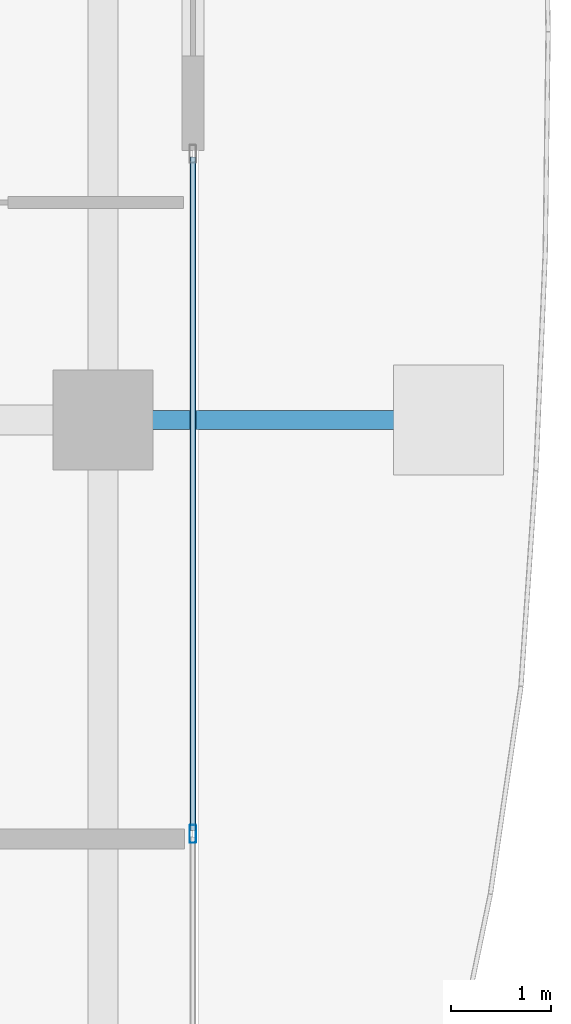
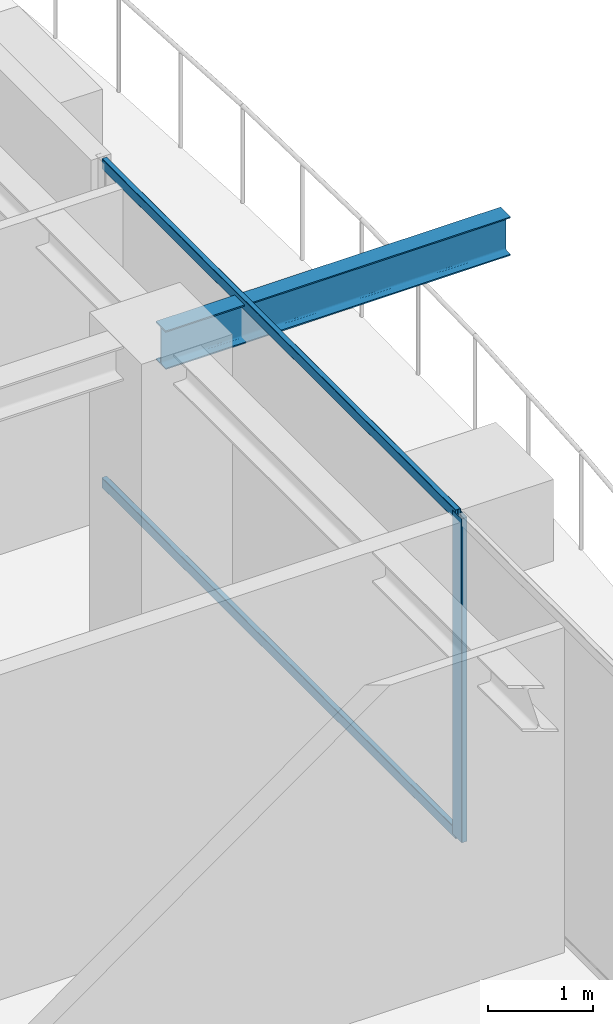
# One storey, part 16 of 42: 3 members, 1 beam, 1 element without a shape of its own.
"""IFC4 building model written with IfcOpenShell, lengths in metres."""

from ifc_helpers import new_model, si_unit, direction, frame, origin, origin_2d, place, context, subcontext, project, spatial, hollow_rectangle, i_section, extrude, source, transform, mapped, material, layer, layer_set, material_profile, profile_set, type_object, element, aggregate, save


model = new_model("IFC4")

# Units and contexts
model_context = context("Model", 3, precision=1e-05, world=origin(), true_north=direction((0.0, 1.0)))
body_context = subcontext(model_context, "Body", "Model", "MODEL_VIEW")
ifc_project = project(units=[si_unit("LENGTHUNIT", "METRE"), si_unit("AREAUNIT", "SQUARE_METRE"), si_unit("VOLUMEUNIT", "CUBIC_METRE"), si_unit("PLANEANGLEUNIT", "RADIAN"), si_unit("MASSUNIT", "GRAM", prefix="KILO")], contexts=[model_context])

# Site, building, storey
site_placement = place(None, origin())
site = spatial("IfcSite", under=ifc_project, at=site_placement, CompositionType="ELEMENT")
building_placement = place(site_placement, origin())
building = spatial("IfcBuilding", under=site, at=building_placement, Name="Serunith Strait Residences", CompositionType="ELEMENT")
storey_placement = place(building_placement, frame((0.0, 0.0, 293.449951171875)))
storey = spatial("IfcBuildingStorey", under=building, at=storey_placement, Name="L73", CompositionType="ELEMENT", Elevation=293.449951171875)

# Beam
ifc_material_1 = material(Name="Steel S355J2", Category="steel")
ifc_material_profile_1 = material_profile(ifc_material_1, i_section(OverallWidth=0.18994140625, OverallDepth=0.449951171875, WebThickness=0.009521484375, FlangeThickness=0.0146484375, FilletRadius=0.02099609375, at=origin_2d()), Name="IPE 450")
ifc_profile_set_1 = profile_set([ifc_material_profile_1], Name="Steel S355J2")
beam_type = type_object("IfcBeamType", Name="BM-IPE450", PredefinedType="JOIST", material=ifc_profile_set_1)
shared_shape_1 = source(origin(), body_context, "Body", "SweptSolid", [
    extrude(i_section(OverallWidth=0.18994140625, OverallDepth=0.449951171875, WebThickness=0.009521484375, FlangeThickness=0.0146484375, FilletRadius=0.02099609375, at=origin_2d()), origin(), (0.0, 0.0, 1.0), 3.800048828125),
])
beam_placement = place(storey_placement, frame((54.699951171875, 21.0, 3.531982421875), z_axis=(1.0, 0.0, 0.0), x_axis=(0.0, 1.0, 0.0)))
element("IfcBeam", 1, at=beam_placement, inside=storey, type_object=beam_type, Name="L74 Cantilevered Balcony Rib TC-E2", PredefinedType="JOIST", context=body_context, shape_type="MappedRepresentation", body=[
    mapped(shared_shape_1, transform((0.0, 0.0, 0.0), scale=1.0)),
])

# Curtain wall, members
ifc_material_2 = material(Name="Brushed Stainless-Silver Aluminium", Category="aluminium")
ifc_layer = layer(ifc_material_2, 0.199951171875, Name="Brushed Stainless-Silver Aluminium")
ifc_layer_set = layer_set([ifc_layer], Name="Brushed Stainless-Silver Aluminium")
curtain_wall_type = type_object("IfcCurtainWallType", Name="CW-SYS5", PredefinedType="NOTDEFINED", material=ifc_layer_set)
curtain_wall_placement = place(storey_placement, origin())
curtain_wall = element("IfcCurtainWall", 2, at=curtain_wall_placement, inside=storey, type_object=curtain_wall_type, Name="L73 E Unitised Fritted Curtain Wall", PredefinedType="NOTDEFINED")
ifc_material_profile_2 = material_profile(ifc_material_2, hollow_rectangle(XDim=0.06494140625, YDim=0.179931640625, WallThickness=0.00341796875, InnerFilletRadius=0.00537109375, OuterFilletRadius=0.0087890625, at=origin_2d()), Name="ALU 180x65x3.5")
ifc_profile_set_2 = profile_set([ifc_material_profile_2], Name="Brushed Stainless-Silver Aluminium")
member_type_1 = type_object("IfcMemberType", Name="CW-SYS5-MULL", PredefinedType="MULLION", material=ifc_profile_set_2)
shared_shape_2 = source(origin(), body_context, "Body", "SweptSolid", [
    extrude(hollow_rectangle(XDim=0.06494140625, YDim=0.179931640625, WallThickness=0.00341796875, InnerFilletRadius=0.00537109375, OuterFilletRadius=0.0087890625, at=origin_2d()), origin(), (0.0, 0.0, 1.0), 3.775146484375),
])
member_1_placement = place(storey_placement, frame((55.60009765625, 16.85009765625, 0.0), z_axis=(0.0, 0.0, 1.0), x_axis=(-1.0, 0.0, 0.0)))
member_1 = element("IfcMember", 3, at=member_1_placement, type_object=member_type_1, Name="CW-5 mullion 2", PredefinedType="MULLION", context=body_context, shape_type="MappedRepresentation", body=[
    mapped(shared_shape_2, transform((0.0, 0.0, 0.0), scale=1.0)),
])
ifc_material_profile_3 = material_profile(ifc_material_2, hollow_rectangle(XDim=0.06005859375, YDim=0.1201171875, WallThickness=0.00341796875, InnerFilletRadius=0.00537109375, OuterFilletRadius=0.0087890625, at=origin_2d()), Name="ALU 120x60x3.5")
ifc_profile_set_3 = profile_set([ifc_material_profile_3], Name="Brushed Stainless-Silver Aluminium")
member_type_2 = type_object("IfcMemberType", Name="CW-SYS5-TRAN", PredefinedType="USERDEFINED", material=ifc_profile_set_3)
shared_shape_3 = source(origin(), body_context, "Body", "SweptSolid", [
    extrude(hollow_rectangle(XDim=0.06005859375, YDim=0.1201171875, WallThickness=0.00341796875, InnerFilletRadius=0.00537109375, OuterFilletRadius=0.0087890625, at=origin_2d()), origin(), (0.0, 0.0, 1.0), 6.75244140625),
])
member_2_placement = place(storey_placement, frame((55.60009765625, 16.882568359375, 0.030029296875), z_axis=(0.0, 1.0, 0.0), x_axis=(-1.0, 0.0, 0.0)))
member_2 = element("IfcMember", 4, at=member_2_placement, type_object=member_type_2, Name="CW-5 transom 2.1", ObjectType="TRANSOM", PredefinedType="USERDEFINED", context=body_context, shape_type="MappedRepresentation", body=[
    mapped(shared_shape_3, transform((0.0, 0.0, 0.0), scale=1.0)),
])
member_3_placement = place(storey_placement, frame((55.60009765625, 16.882568359375, 3.7451171875), z_axis=(0.0, 1.0, 0.0), x_axis=(-1.0, 0.0, 0.0)))
member_3 = element("IfcMember", 5, at=member_3_placement, type_object=member_type_2, Name="CW-5 transom 2.2", ObjectType="TRANSOM", PredefinedType="USERDEFINED", context=body_context, shape_type="MappedRepresentation", body=[
    mapped(shared_shape_3, transform((0.0, 0.0, 0.0), scale=1.0)),
])
aggregate(curtain_wall, [member_1, member_2, member_3])

save(model, "model.ifc")
